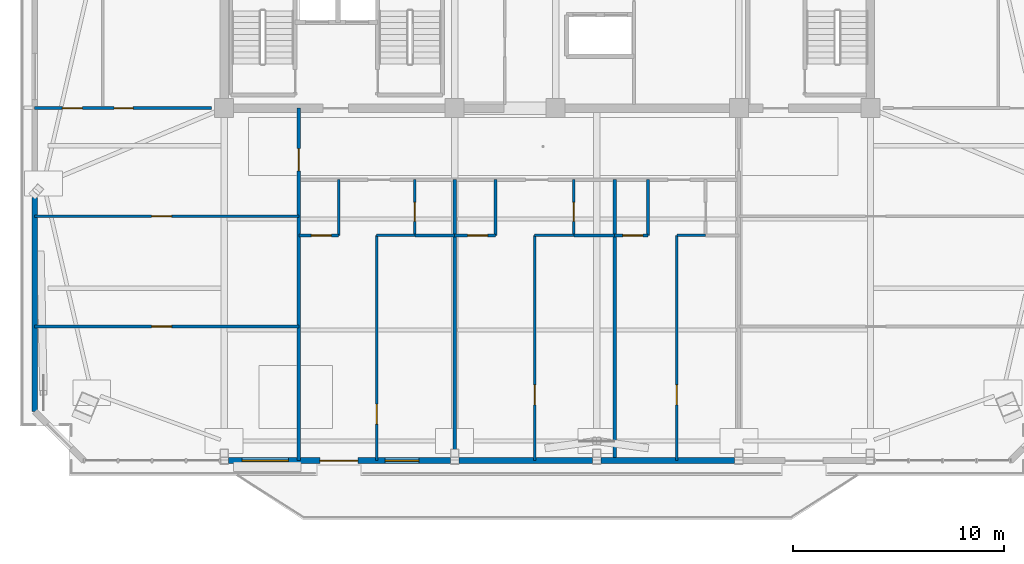
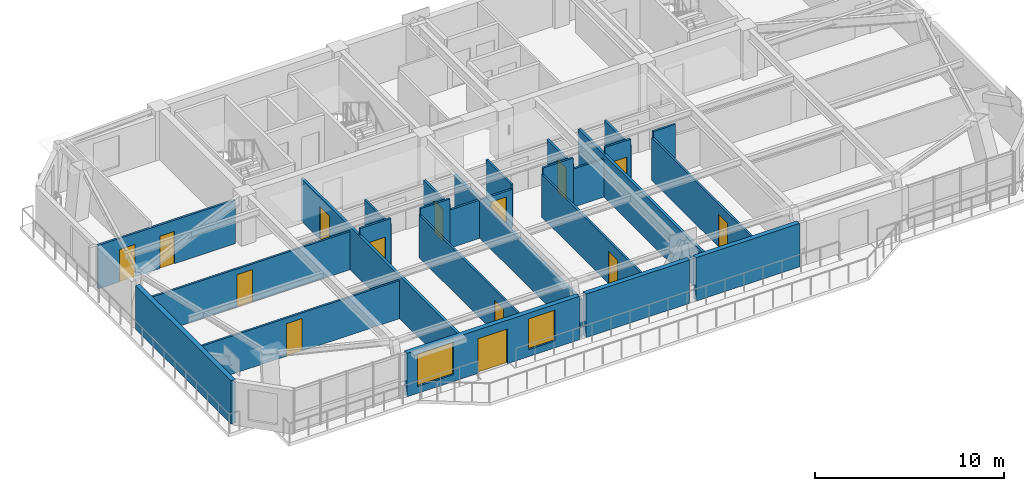
# One storey, part 6 of 14: 26 walls, 14 doors, 2 windows, 16 openings.
"""IFC4 building model written with IfcOpenShell, lengths in metres."""

from ifc_helpers import new_model, si_unit, direction, frame, frame_2d, origin, place, context, subcontext, project, spatial, rectangle, extrude, source, transform, mapped, material, layer, layer_set, type_object, element, fill, save


model = new_model("IFC4")

# Units and contexts
model_context = context("Model", 3, precision=1e-05, world=origin(), true_north=direction((0.0, 1.0)))
body_context = subcontext(model_context, "Body", "Model", "MODEL_VIEW")
ifc_project = project(units=[si_unit("LENGTHUNIT", "METRE"), si_unit("AREAUNIT", "SQUARE_METRE"), si_unit("VOLUMEUNIT", "CUBIC_METRE"), si_unit("PLANEANGLEUNIT", "RADIAN"), si_unit("MASSUNIT", "GRAM", prefix="KILO")], contexts=[model_context])

# Site, building, storey
site_placement = place(None, origin())
site = spatial("IfcSite", under=ifc_project, at=site_placement, CompositionType="ELEMENT")
building_placement = place(site_placement, origin())
building = spatial("IfcBuilding", under=site, at=building_placement, Name="Giltprow Tower", CompositionType="ELEMENT")
storey_placement = place(building_placement, frame((0.0, 0.0, 321.0)))
storey = spatial("IfcBuildingStorey", under=building, at=storey_placement, Name="L83", CompositionType="ELEMENT", Elevation=321.0)

# Wall, openings, windows, door
ifc_material_1 = material(Name="Precast concrete C40", Category="concrete")
ifc_layer_1 = layer(ifc_material_1, 0.280029296875, Name="Precast concrete C40")
ifc_layer_set_1 = layer_set([ifc_layer_1], Name="Precast concrete C40")
wall_type_1 = type_object("IfcWallType", Name="EW-TOW-BRONZE-280", PredefinedType="SOLIDWALL", material=ifc_layer_set_1)
wall_1_placement = place(storey_placement, frame((20.050048828125, 20.7041015625, 0.0), z_axis=(0.0, 0.0, 1.0), x_axis=(1.0, 0.0, 0.0)))
wall_1 = element("IfcWall", 1, at=wall_1_placement, inside=storey, type_object=wall_type_1, Name="L83 South Expressed Frame Wall 2", PredefinedType="SOLIDWALL", context=body_context, shape_type="SweptSolid", body=[
    extrude(rectangle(XDim=10.550048828125, YDim=0.280029296875, at=frame_2d((5.27490234375, 0.0))), origin(), (0.0, 0.0, 1.0), 2.81494140625),
])
opening_1_placement = place(wall_1_placement, frame((4.35009765625, 0.0, 0.0)))
opening_1 = element("IfcOpeningElement", 2, at=opening_1_placement, cuts=wall_1, Name="Opening ED25", PredefinedType="OPENING", context=body_context, shape_type="SweptSolid", body=[
    extrude(rectangle(XDim=1.800048828125, YDim=2.25, at=frame_2d((0.89990234375, 1.125))), frame((0.0, 0.14990234375, 0.0), z_axis=(0.0, -1.0, 0.0), x_axis=(1.0, 0.0, 0.0)), (0.0, 0.0, 1.0), 0.300048828125),
])
opening_2_placement = place(wall_1_placement, frame((0.64990234375, 0.0, 0.449951171875)))
opening_2 = element("IfcOpeningElement", 3, at=opening_2_placement, cuts=wall_1, Name="Opening WN27", PredefinedType="OPENING", context=body_context, shape_type="SweptSolid", body=[
    extrude(rectangle(XDim=2.199951171875, YDim=2.10009765625, at=frame_2d((1.10009765625, 1.050048828125))), frame((0.0, 0.14990234375, 0.0), z_axis=(0.0, -1.0, 0.0), x_axis=(1.0, 0.0, 0.0)), (0.0, 0.0, 1.0), 0.300048828125),
])
opening_3_placement = place(wall_1_placement, frame((7.449951171875, 0.0, 0.449951171875)))
opening_3 = element("IfcOpeningElement", 4, at=opening_3_placement, cuts=wall_1, Name="Opening WN17", PredefinedType="OPENING", context=body_context, shape_type="SweptSolid", body=[
    extrude(rectangle(XDim=1.60009765625, YDim=2.0, at=frame_2d((0.800048828125, 1.0))), frame((0.0, 0.14990234375, 0.0), z_axis=(0.0, -1.0, 0.0), x_axis=(1.0, 0.0, 0.0)), (0.0, 0.0, 1.0), 0.300048828125),
])
ifc_material_2 = material(Name="Insulated glass", Category="glass")
window_type_1 = type_object("IfcWindowType", Name="WN-COR-1600x2000", PartitioningType="SINGLE_PANEL", PredefinedType="WINDOW", material=ifc_material_2)
shared_shape_1 = source(origin(), body_context, "Body", "SweptSolid", [
    extrude(rectangle(XDim=1.60009765625, YDim=2.0, at=frame_2d((0.800048828125, 1.0))), frame((0.0, 0.030029296875, 0.0), z_axis=(0.0, -1.0, 0.0), x_axis=(1.0, 0.0, 0.0)), (0.0, 0.0, 1.0), 0.06005859375),
])
window_1_placement = place(opening_3_placement, origin())
window_1 = element("IfcWindow", 5, at=window_1_placement, inside=storey, type_object=window_type_1, Name="L83 South Window 2B", OverallHeight=2.0, OverallWidth=1.60009765625, PartitioningType="SINGLE_PANEL", PredefinedType="WINDOW", context=body_context, shape_type="MappedRepresentation", body=[
    mapped(shared_shape_1, transform((0.0, 0.0, 0.0), x_axis=(1.0, 0.0, 0.0), y_axis=(0.0, 1.0, 0.0), z_axis=(0.0, 0.0, 1.0), scale=1.0)),
])
fill(opening_3, window_1)
ifc_material_3 = material(Name="Anodized bronze and glass", Category="glass")
door_type_1 = type_object("IfcDoorType", Name="DR-BALC-SLIDE-1800", OperationType="SLIDING_TO_LEFT", PredefinedType="DOOR", material=ifc_material_3)
shared_shape_2 = source(origin(), body_context, "Body", "SweptSolid", [
    extrude(rectangle(XDim=1.800048828125, YDim=2.25, at=frame_2d((0.89990234375, 1.125))), frame((0.0, 0.02490234375, 0.0), z_axis=(0.0, -1.0, 0.0), x_axis=(1.0, 0.0, 0.0)), (0.0, 0.0, 1.0), 0.050048828125),
])
door_1_placement = place(opening_1_placement, origin())
door_1 = element("IfcDoor", 6, at=door_1_placement, inside=storey, type_object=door_type_1, Name="L83 Waterfront Balcony Sliding Door 1", OperationType="SLIDING_TO_LEFT", OverallHeight=2.25, OverallWidth=1.800048828125, PredefinedType="DOOR", context=body_context, shape_type="MappedRepresentation", body=[
    mapped(shared_shape_2, transform((0.0, 0.0, 0.0), x_axis=(1.0, 0.0, 0.0), y_axis=(0.0, 1.0, 0.0), z_axis=(0.0, 0.0, 1.0), scale=1.0)),
])
fill(opening_1, door_1)
window_type_2 = type_object("IfcWindowType", Name="WN-RES-2200x2100", PartitioningType="TRIPLE_PANEL_VERTICAL", PredefinedType="WINDOW", material=ifc_material_2)
shared_shape_3 = source(origin(), body_context, "Body", "SweptSolid", [
    extrude(rectangle(XDim=2.199951171875, YDim=2.10009765625, at=frame_2d((1.10009765625, 1.050048828125))), frame((0.0, 0.030029296875, 0.0), z_axis=(0.0, -1.0, 0.0), x_axis=(1.0, 0.0, 0.0)), (0.0, 0.0, 1.0), 0.06005859375),
])
window_2_placement = place(opening_2_placement, origin())
window_2 = element("IfcWindow", 7, at=window_2_placement, inside=storey, type_object=window_type_2, Name="L83 South Window 2A", OverallHeight=2.10009765625, OverallWidth=2.199951171875, PartitioningType="SINGLE_PANEL", PredefinedType="WINDOW", context=body_context, shape_type="MappedRepresentation", body=[
    mapped(shared_shape_3, transform((0.0, 0.0, 0.0), x_axis=(1.0, 0.0, 0.0), y_axis=(0.0, 1.0, 0.0), z_axis=(0.0, 0.0, 1.0), scale=1.0)),
])
fill(opening_2, window_2)

# Walls
for number, where, z_axis, x_axis, name in (
    (8, (31.0, 20.7041015625, 0.0), (0.0, 0.0, 1.0), (1.0, 0.0, 0.0), "L83 South Expressed Frame Wall 3"),
    (9, (37.75, 20.7041015625, 0.0), (0.0, 0.0, 1.0), (1.0, 0.0, 0.0), "L83 South Expressed Frame Wall 4"),
):
    element("IfcWall", number, at=place(storey_placement, frame(where, z_axis=z_axis, x_axis=x_axis)), inside=storey, type_object=wall_type_1, Name=name, PredefinedType="SOLIDWALL", context=body_context, shape_type="SweptSolid", body=[
        extrude(rectangle(XDim=6.35009765625, YDim=0.280029296875, at=frame_2d((3.175048828125, 0.0))), origin(), (0.0, 0.0, 1.0), 2.81494140625),
    ])
wall_2_placement = place(storey_placement, frame((10.85498046875, 23.0419921875, 0.0), z_axis=(0.0, 0.0, 1.0), x_axis=(0.0, 1.0, 0.0)))
element("IfcWall", 10, at=wall_2_placement, inside=storey, type_object=wall_type_1, Name="L83 W Wing Masonry Wall 1", PredefinedType="SOLIDWALL", context=body_context, shape_type="SweptSolid", body=[
    extrude(rectangle(XDim=10.159912109375, YDim=0.280029296875, at=frame_2d((5.080078125, 0.0))), origin(), (0.0, 0.0, 1.0), 2.81494140625),
])

# Wall, opening, door
ifc_material_4 = material(Name="Gypsum stud partition", Category="gypsum")
ifc_layer_2 = layer(ifc_material_4, 0.159912109375, Name="Gypsum stud partition")
ifc_layer_set_2 = layer_set([ifc_layer_2], Name="Gypsum stud partition")
wall_type_2 = type_object("IfcWallType", Name="IW-DEMISE-160", PredefinedType="PARTITIONING", material=ifc_layer_set_2)
wall_3_placement = place(storey_placement, frame((23.39990234375, 20.7041015625, 0.0), z_axis=(0.0, 0.0, 1.0), x_axis=(0.0, 1.0, 0.0)))
wall_3 = element("IfcWall", 11, at=wall_3_placement, inside=storey, type_object=wall_type_2, Name="L83 Apartment Party Wall 1", PredefinedType="PARTITIONING", context=body_context, shape_type="SweptSolid", body=[
    extrude(rectangle(XDim=16.745849609375, YDim=0.159912109375, at=frame_2d((8.373046875, 0.0))), origin(), (0.0, 0.0, 1.0), 2.77001953125),
])
opening_4_placement = place(wall_3_placement, frame((13.76611328125, 0.0, 0.0)))
opening_4 = element("IfcOpeningElement", 12, at=opening_4_placement, cuts=wall_3, Name="Opening ID31", PredefinedType="OPENING", context=body_context, shape_type="SweptSolid", body=[
    extrude(rectangle(XDim=1.050048828125, YDim=2.14990234375, at=frame_2d((0.52490234375, 1.074951171875))), frame((0.0, 0.08984375, 0.0), z_axis=(0.0, -1.0, 0.0), x_axis=(1.0, 0.0, 0.0)), (0.0, 0.0, 1.0), 0.179931640625),
])
ifc_material_5 = material(Name="Engineered timber", Category="wood")
door_type_2 = type_object("IfcDoorType", Name="DR-SUITE-1050", OperationType="SINGLE_SWING_LEFT", PredefinedType="DOOR", material=ifc_material_5)
shared_shape_4 = source(origin(), body_context, "Body", "SweptSolid", [
    extrude(rectangle(XDim=1.050048828125, YDim=2.14990234375, at=frame_2d((0.52490234375, 1.074951171875))), frame((0.0, 0.02490234375, 0.0), z_axis=(0.0, -1.0, 0.0), x_axis=(1.0, 0.0, 0.0)), (0.0, 0.0, 1.0), 0.050048828125),
])
door_2_placement = place(opening_4_placement, origin())
door_2 = element("IfcDoor", 13, at=door_2_placement, inside=storey, type_object=door_type_2, Name="L83 Committee Meeting Room Corridor End Door", OperationType="SINGLE_SWING_RIGHT", OverallHeight=2.14990234375, OverallWidth=1.050048828125, PredefinedType="DOOR", context=body_context, shape_type="MappedRepresentation", body=[
    mapped(shared_shape_4, transform((0.0, 0.0, 0.0), x_axis=(1.0, 0.0, 0.0), y_axis=(0.0, 1.0, 0.0), z_axis=(0.0, 0.0, 1.0), scale=1.0)),
])
fill(opening_4, door_2)

# Walls
wall_4_placement = place(storey_placement, frame((30.800048828125, 20.7041015625, 0.0), z_axis=(0.0, 0.0, 1.0), x_axis=(0.0, 1.0, 0.0)))
element("IfcWall", 14, at=wall_4_placement, inside=storey, type_object=wall_type_2, Name="L83 Apartment Party Wall 2", PredefinedType="PARTITIONING", context=body_context, shape_type="SweptSolid", body=[
    extrude(rectangle(XDim=13.345947265625, YDim=0.159912109375, at=frame_2d((6.6728515625, 0.0))), origin(), (0.0, 0.0, 1.0), 2.469970703125),
])
wall_5_placement = place(storey_placement, frame((38.39990234375, 20.7041015625, 0.0), z_axis=(0.0, 0.0, 1.0), x_axis=(0.0, 1.0, 0.0)))
element("IfcWall", 15, at=wall_5_placement, inside=storey, type_object=wall_type_2, Name="L83 Apartment Party Wall 3", PredefinedType="PARTITIONING", context=body_context, shape_type="SweptSolid", body=[
    extrude(rectangle(XDim=13.345947265625, YDim=0.159912109375, at=frame_2d((6.6728515625, 0.0))), origin(), (0.0, 0.0, 1.0), 2.77001953125),
])

# Wall, opening, door
ifc_layer_3 = layer(ifc_material_4, 0.1201171875, Name="Gypsum stud partition")
ifc_layer_set_3 = layer_set([ifc_layer_3], Name="Gypsum stud partition")
wall_type_3 = type_object("IfcWallType", Name="IW-ROOM-120", PredefinedType="PARTITIONING", material=ifc_layer_set_3)
wall_6_placement = place(storey_placement, frame((10.85498046875, 27.076904296875, 0.0), z_axis=(0.0, 0.0, 1.0), x_axis=(1.0, 0.0, 0.0)))
wall_6 = element("IfcWall", 16, at=wall_6_placement, inside=storey, type_object=wall_type_3, Name="L83 Special Split 1", PredefinedType="PARTITIONING", context=body_context, shape_type="SweptSolid", body=[
    extrude(rectangle(XDim=12.544921875, YDim=0.1201171875, at=frame_2d((6.2724609375, 0.0))), origin(), (0.0, 0.0, 1.0), 2.469970703125),
])
opening_5_placement = place(wall_6_placement, frame((5.552978515625, 0.0, 0.0)))
opening_5 = element("IfcOpeningElement", 17, at=opening_5_placement, cuts=wall_6, Name="Opening ID11", PredefinedType="OPENING", context=body_context, shape_type="SweptSolid", body=[
    extrude(rectangle(XDim=0.949951171875, YDim=2.10009765625, at=frame_2d((0.47509765625, 1.050048828125))), frame((0.0, 0.070068359375, 0.0), z_axis=(0.0, -1.0, 0.0), x_axis=(1.0, 0.0, 0.0)), (0.0, 0.0, 1.0), 0.14013671875),
])
door_type_3 = type_object("IfcDoorType", Name="DR-ROOM-950", OperationType="SINGLE_SWING_RIGHT", PredefinedType="DOOR", material=ifc_material_5)
shared_shape_5 = source(origin(), body_context, "Body", "SweptSolid", [
    extrude(rectangle(XDim=0.949951171875, YDim=2.10009765625, at=frame_2d((0.47509765625, 1.050048828125))), frame((0.0, 0.02490234375, 0.0), z_axis=(0.0, -1.0, 0.0), x_axis=(1.0, 0.0, 0.0)), (0.0, 0.0, 1.0), 0.050048828125),
])
door_3_placement = place(opening_5_placement, origin())
door_3 = element("IfcDoor", 18, at=door_3_placement, inside=storey, type_object=door_type_3, Name="L83 Committee Meeting Room South Door", OperationType="SINGLE_SWING_RIGHT", OverallHeight=2.10009765625, OverallWidth=0.949951171875, PredefinedType="DOOR", context=body_context, shape_type="MappedRepresentation", body=[
    mapped(shared_shape_5, transform((0.0, 0.0, 0.0), x_axis=(1.0, 0.0, 0.0), y_axis=(0.0, 1.0, 0.0), z_axis=(0.0, 0.0, 1.0), scale=1.0)),
])
fill(opening_5, door_3)

wall_7_placement = place(storey_placement, frame((10.85498046875, 32.318115234375, 0.0), z_axis=(0.0, 0.0, 1.0), x_axis=(1.0, 0.0, 0.0)))
wall_7 = element("IfcWall", 19, at=wall_7_placement, inside=storey, type_object=wall_type_3, Name="L83 Special Split 2", PredefinedType="PARTITIONING", context=body_context, shape_type="SweptSolid", body=[
    extrude(rectangle(XDim=12.544921875, YDim=0.1201171875, at=frame_2d((6.2724609375, 0.0))), origin(), (0.0, 0.0, 1.0), 2.469970703125),
])
opening_6_placement = place(wall_7_placement, frame((5.552978515625, 0.0, 0.0)))
opening_6 = element("IfcOpeningElement", 20, at=opening_6_placement, cuts=wall_7, Name="Opening ID11", PredefinedType="OPENING", context=body_context, shape_type="SweptSolid", body=[
    extrude(rectangle(XDim=0.949951171875, YDim=2.10009765625, at=frame_2d((0.47509765625, 1.050048828125))), frame((0.0, 0.070068359375, 0.0), z_axis=(0.0, -1.0, 0.0), x_axis=(1.0, 0.0, 0.0)), (0.0, 0.0, 1.0), 0.14013671875),
])
door_4_placement = place(opening_6_placement, origin())
door_4 = element("IfcDoor", 21, at=door_4_placement, inside=storey, type_object=door_type_3, Name="L83 Committee Meeting Room Mid Door", OperationType="SINGLE_SWING_LEFT", OverallHeight=2.10009765625, OverallWidth=0.949951171875, PredefinedType="DOOR", context=body_context, shape_type="MappedRepresentation", body=[
    mapped(shared_shape_5, transform((0.0, 0.0, 0.0), x_axis=(1.0, 0.0, 0.0), y_axis=(0.0, 1.0, 0.0), z_axis=(0.0, 0.0, 1.0), scale=1.0)),
])
fill(opening_6, door_4)

# Wall
wall_8_placement = place(storey_placement, frame((27.10009765625, 31.39990234375, 0.0), z_axis=(0.0, 0.0, 1.0), x_axis=(1.0, 0.0, 0.0)))
element("IfcWall", 22, at=wall_8_placement, inside=storey, type_object=wall_type_3, Name="L83 Unit 1 Bedroom North Wall", PredefinedType="PARTITIONING", context=body_context, shape_type="SweptSolid", body=[
    extrude(rectangle(XDim=1.809814453125, YDim=0.1201171875, at=frame_2d((0.90478515625, 0.0))), origin(), (0.0, 0.0, 1.0), 3.18505859375),
])

# Wall, opening, door
wall_9_placement = place(storey_placement, frame((27.10009765625, 20.7041015625, 0.0), z_axis=(0.0, 0.0, 1.0), x_axis=(0.0, 1.0, 0.0)))
wall_9 = element("IfcWall", 23, at=wall_9_placement, inside=storey, type_object=wall_type_3, Name="L83 Unit 1 Bedroom Wall", PredefinedType="PARTITIONING", context=body_context, shape_type="SweptSolid", body=[
    extrude(rectangle(XDim=10.69580078125, YDim=0.1201171875, at=frame_2d((5.347900390625, 0.0))), origin(), (0.0, 0.0, 1.0), 2.77001953125),
])
opening_7_placement = place(wall_9_placement, frame((1.73193359375, 0.0, 0.0)))
opening_7 = element("IfcOpeningElement", 24, at=opening_7_placement, cuts=wall_9, Name="Opening ID11", PredefinedType="OPENING", context=body_context, shape_type="SweptSolid", body=[
    extrude(rectangle(XDim=0.949951171875, YDim=2.10009765625, at=frame_2d((0.47509765625, 1.050048828125))), frame((0.0, 0.070068359375, 0.0), z_axis=(0.0, -1.0, 0.0), x_axis=(1.0, 0.0, 0.0)), (0.0, 0.0, 1.0), 0.14013671875),
])
door_5_placement = place(opening_7_placement, origin())
door_5 = element("IfcDoor", 25, at=door_5_placement, inside=storey, type_object=door_type_3, Name="L83 Unit 1 Primary Bedroom Door", OperationType="SINGLE_SWING_RIGHT", OverallHeight=2.10009765625, OverallWidth=0.949951171875, PredefinedType="DOOR", context=body_context, shape_type="MappedRepresentation", body=[
    mapped(shared_shape_5, transform((0.0, 0.0, 0.0), x_axis=(1.0, 0.0, 0.0), y_axis=(0.0, 1.0, 0.0), z_axis=(0.0, 0.0, 1.0), scale=1.0)),
])
fill(opening_7, door_5)

# Wall
wall_10_placement = place(storey_placement, frame((34.60009765625, 31.39990234375, 0.0), z_axis=(0.0, 0.0, 1.0), x_axis=(1.0, 0.0, 0.0)))
element("IfcWall", 26, at=wall_10_placement, inside=storey, type_object=wall_type_3, Name="L83 Unit 2 Bedroom North Wall", PredefinedType="PARTITIONING", context=body_context, shape_type="SweptSolid", body=[
    extrude(rectangle(XDim=1.85986328125, YDim=0.1201171875, at=frame_2d((0.929931640625, 0.0))), origin(), (0.0, 0.0, 1.0), 3.18505859375),
])

# Wall, opening, door
wall_11_placement = place(storey_placement, frame((34.60009765625, 20.7041015625, 0.0), z_axis=(0.0, 0.0, 1.0), x_axis=(0.0, 1.0, 0.0)))
wall_11 = element("IfcWall", 27, at=wall_11_placement, inside=storey, type_object=wall_type_3, Name="L83 Unit 2 Bedroom Wall", PredefinedType="PARTITIONING", context=body_context, shape_type="SweptSolid", body=[
    extrude(rectangle(XDim=10.69580078125, YDim=0.1201171875, at=frame_2d((5.347900390625, 0.0))), origin(), (0.0, 0.0, 1.0), 2.77001953125),
])
opening_8_placement = place(wall_11_placement, frame((2.652099609375, 0.0, 0.0)))
opening_8 = element("IfcOpeningElement", 28, at=opening_8_placement, cuts=wall_11, Name="Opening ID11", PredefinedType="OPENING", context=body_context, shape_type="SweptSolid", body=[
    extrude(rectangle(XDim=0.949951171875, YDim=2.10009765625, at=frame_2d((0.47509765625, 1.050048828125))), frame((0.0, 0.070068359375, 0.0), z_axis=(0.0, -1.0, 0.0), x_axis=(1.0, 0.0, 0.0)), (0.0, 0.0, 1.0), 0.14013671875),
])
door_6_placement = place(opening_8_placement, origin())
door_6 = element("IfcDoor", 29, at=door_6_placement, inside=storey, type_object=door_type_3, Name="L83 Unit 2 Primary Bedroom Door", OperationType="SINGLE_SWING_RIGHT", OverallHeight=2.10009765625, OverallWidth=0.949951171875, PredefinedType="DOOR", context=body_context, shape_type="MappedRepresentation", body=[
    mapped(shared_shape_5, transform((0.0, 0.0, 0.0), x_axis=(1.0, 0.0, 0.0), y_axis=(0.0, 1.0, 0.0), z_axis=(0.0, 0.0, 1.0), scale=1.0)),
])
fill(opening_8, door_6)

# Wall
wall_12_placement = place(storey_placement, frame((41.35009765625, 31.39990234375, 0.0), z_axis=(0.0, 0.0, 1.0), x_axis=(1.0, 0.0, 0.0)))
element("IfcWall", 30, at=wall_12_placement, inside=storey, type_object=wall_type_3, Name="L83 Unit 3 Bedroom North Wall", PredefinedType="PARTITIONING", context=body_context, shape_type="SweptSolid", body=[
    extrude(rectangle(XDim=1.369873046875, YDim=0.1201171875, at=frame_2d((0.68505859375, 0.0))), origin(), (0.0, 0.0, 1.0), 3.18505859375),
])

# Wall, opening, door
wall_13_placement = place(storey_placement, frame((41.35009765625, 20.7041015625, 0.0), z_axis=(0.0, 0.0, 1.0), x_axis=(0.0, 1.0, 0.0)))
wall_13 = element("IfcWall", 31, at=wall_13_placement, inside=storey, type_object=wall_type_3, Name="L83 Unit 3 Bedroom Wall", PredefinedType="PARTITIONING", context=body_context, shape_type="SweptSolid", body=[
    extrude(rectangle(XDim=10.69580078125, YDim=0.1201171875, at=frame_2d((5.347900390625, 0.0))), origin(), (0.0, 0.0, 1.0), 2.77001953125),
])
opening_9_placement = place(wall_13_placement, frame((2.652099609375, 0.0, 0.0)))
opening_9 = element("IfcOpeningElement", 32, at=opening_9_placement, cuts=wall_13, Name="Opening ID11", PredefinedType="OPENING", context=body_context, shape_type="SweptSolid", body=[
    extrude(rectangle(XDim=0.949951171875, YDim=2.10009765625, at=frame_2d((0.47509765625, 1.050048828125))), frame((0.0, 0.070068359375, 0.0), z_axis=(0.0, -1.0, 0.0), x_axis=(1.0, 0.0, 0.0)), (0.0, 0.0, 1.0), 0.14013671875),
])
door_7_placement = place(opening_9_placement, origin())
door_7 = element("IfcDoor", 33, at=door_7_placement, inside=storey, type_object=door_type_3, Name="L83 Unit 3 Primary Bedroom Door", OperationType="SINGLE_SWING_RIGHT", OverallHeight=2.10009765625, OverallWidth=0.949951171875, PredefinedType="DOOR", context=body_context, shape_type="MappedRepresentation", body=[
    mapped(shared_shape_5, transform((0.0, 0.0, 0.0), x_axis=(1.0, 0.0, 0.0), y_axis=(0.0, 1.0, 0.0), z_axis=(0.0, 0.0, 1.0), scale=1.0)),
])
fill(opening_9, door_7)

ifc_material_6 = material(Name="Concrete C30", Category="concrete")
ifc_layer_4 = layer(ifc_material_6, 0.1298828125, Name="Concrete C30")
ifc_layer_set_4 = layer_set([ifc_layer_4], Name="Concrete C30")
wall_type_4 = type_object("IfcWallType", Name="IW-WET-130", PredefinedType="PARTITIONING", material=ifc_layer_set_4)
wall_14_placement = place(storey_placement, frame((23.39990234375, 31.39990234375, 0.0), z_axis=(0.0, 0.0, 1.0), x_axis=(1.0, 0.0, 0.0)))
wall_14 = element("IfcWall", 34, at=wall_14_placement, inside=storey, type_object=wall_type_4, Name="L83 Unit 1 Kitchen South Wall", PredefinedType="PARTITIONING", context=body_context, shape_type="SweptSolid", body=[
    extrude(rectangle(XDim=1.89013671875, YDim=0.1298828125, at=frame_2d((0.945068359375, 0.0))), origin(), (0.0, 0.0, 1.0), 3.18505859375),
])
opening_10_placement = place(wall_14_placement, frame((0.590087890625, 0.0, 0.0)))
opening_10 = element("IfcOpeningElement", 35, at=opening_10_placement, cuts=wall_14, Name="Opening ID11", PredefinedType="OPENING", context=body_context, shape_type="SweptSolid", body=[
    extrude(rectangle(XDim=0.949951171875, YDim=2.10009765625, at=frame_2d((0.47509765625, 1.050048828125))), frame((0.0, 0.074951171875, 0.0), z_axis=(0.0, -1.0, 0.0), x_axis=(1.0, 0.0, 0.0)), (0.0, 0.0, 1.0), 0.14990234375),
])
door_8_placement = place(opening_10_placement, origin())
door_8 = element("IfcDoor", 36, at=door_8_placement, inside=storey, type_object=door_type_3, Name="L83 Unit 1 Kitchen Door", OperationType="SINGLE_SWING_RIGHT", OverallHeight=2.10009765625, OverallWidth=0.949951171875, PredefinedType="DOOR", context=body_context, shape_type="MappedRepresentation", body=[
    mapped(shared_shape_5, transform((0.0, 0.0, 0.0), x_axis=(1.0, 0.0, 0.0), y_axis=(0.0, 1.0, 0.0), z_axis=(0.0, 0.0, 1.0), scale=1.0)),
])
fill(opening_10, door_8)

# Walls
wall_15_placement = place(storey_placement, frame((25.2900390625, 31.39990234375, 0.0), z_axis=(0.0, 0.0, 1.0), x_axis=(0.0, 1.0, 0.0)))
element("IfcWall", 37, at=wall_15_placement, inside=storey, type_object=wall_type_4, Name="L83 Unit 1 Kitchen East Wall", PredefinedType="PARTITIONING", context=body_context, shape_type="SweptSolid", body=[
    extrude(rectangle(XDim=2.650146484375, YDim=0.1298828125, at=frame_2d((1.3251953125, 0.0))), origin(), (0.0, 0.0, 1.0), 2.77001953125),
])
wall_16_placement = place(storey_placement, frame((28.909912109375, 31.39990234375, 0.0), z_axis=(0.0, 0.0, 1.0), x_axis=(1.0, 0.0, 0.0)))
element("IfcWall", 38, at=wall_16_placement, inside=storey, type_object=wall_type_4, Name="L83 Unit 1 Bathroom South Wall", PredefinedType="PARTITIONING", context=body_context, shape_type="SweptSolid", body=[
    extrude(rectangle(XDim=1.89013671875, YDim=0.1298828125, at=frame_2d((0.945068359375, 0.0))), origin(), (0.0, 0.0, 1.0), 2.469970703125),
])

# Wall, opening, door
wall_17_placement = place(storey_placement, frame((28.909912109375, 31.39990234375, 0.0), z_axis=(0.0, 0.0, 1.0), x_axis=(0.0, 1.0, 0.0)))
wall_17 = element("IfcWall", 39, at=wall_17_placement, inside=storey, type_object=wall_type_4, Name="L83 Unit 1 Bathroom West Wall", PredefinedType="PARTITIONING", context=body_context, shape_type="SweptSolid", body=[
    extrude(rectangle(XDim=2.650146484375, YDim=0.1298828125, at=frame_2d((1.3251953125, 0.0))), origin(), (0.0, 0.0, 1.0), 2.77001953125),
])
opening_11_placement = place(wall_17_placement, frame((0.669921875, 0.0, 0.0)))
opening_11 = element("IfcOpeningElement", 40, at=opening_11_placement, cuts=wall_17, Name="Opening ID15", PredefinedType="OPENING", context=body_context, shape_type="SweptSolid", body=[
    extrude(rectangle(XDim=0.89990234375, YDim=2.10009765625, at=frame_2d((0.449951171875, 1.050048828125))), frame((0.0, 0.074951171875, 0.0), z_axis=(0.0, -1.0, 0.0), x_axis=(1.0, 0.0, 0.0)), (0.0, 0.0, 1.0), 0.14990234375),
])
door_type_4 = type_object("IfcDoorType", Name="DR-WC-900", OperationType="SINGLE_SWING_LEFT", PredefinedType="DOOR", material=ifc_material_5)
shared_shape_6 = source(origin(), body_context, "Body", "SweptSolid", [
    extrude(rectangle(XDim=0.89990234375, YDim=2.10009765625, at=frame_2d((0.449951171875, 1.050048828125))), frame((0.0, 0.02490234375, 0.0), z_axis=(0.0, -1.0, 0.0), x_axis=(1.0, 0.0, 0.0)), (0.0, 0.0, 1.0), 0.050048828125),
])
door_9_placement = place(opening_11_placement, origin())
door_9 = element("IfcDoor", 41, at=door_9_placement, inside=storey, type_object=door_type_4, Name="L83 Unit 1 Bathroom Door", OperationType="SINGLE_SWING_LEFT", OverallHeight=2.10009765625, OverallWidth=0.89990234375, PredefinedType="DOOR", context=body_context, shape_type="MappedRepresentation", body=[
    mapped(shared_shape_6, transform((0.0, 0.0, 0.0), x_axis=(1.0, 0.0, 0.0), y_axis=(0.0, 1.0, 0.0), z_axis=(0.0, 0.0, 1.0), scale=1.0)),
])
fill(opening_11, door_9)

wall_18_placement = place(storey_placement, frame((30.800048828125, 31.39990234375, 0.0), z_axis=(0.0, 0.0, 1.0), x_axis=(1.0, 0.0, 0.0)))
wall_18 = element("IfcWall", 42, at=wall_18_placement, inside=storey, type_object=wall_type_4, Name="L83 Unit 2 Kitchen South Wall", PredefinedType="PARTITIONING", context=body_context, shape_type="SweptSolid", body=[
    extrude(rectangle(XDim=1.93994140625, YDim=0.1298828125, at=frame_2d((0.969970703125, 0.0))), origin(), (0.0, 0.0, 1.0), 2.469970703125),
])
opening_12_placement = place(wall_18_placement, frame((0.614990234375, 0.0, 0.0)))
opening_12 = element("IfcOpeningElement", 43, at=opening_12_placement, cuts=wall_18, Name="Opening ID11", PredefinedType="OPENING", context=body_context, shape_type="SweptSolid", body=[
    extrude(rectangle(XDim=0.949951171875, YDim=2.10009765625, at=frame_2d((0.47509765625, 1.050048828125))), frame((0.0, 0.074951171875, 0.0), z_axis=(0.0, -1.0, 0.0), x_axis=(1.0, 0.0, 0.0)), (0.0, 0.0, 1.0), 0.14990234375),
])
door_10_placement = place(opening_12_placement, origin())
door_10 = element("IfcDoor", 44, at=door_10_placement, inside=storey, type_object=door_type_3, Name="L83 Unit 2 Kitchen Door", OperationType="SINGLE_SWING_RIGHT", OverallHeight=2.10009765625, OverallWidth=0.949951171875, PredefinedType="DOOR", context=body_context, shape_type="MappedRepresentation", body=[
    mapped(shared_shape_5, transform((0.0, 0.0, 0.0), x_axis=(1.0, 0.0, 0.0), y_axis=(0.0, 1.0, 0.0), z_axis=(0.0, 0.0, 1.0), scale=1.0)),
])
fill(opening_12, door_10)

# Walls
wall_19_placement = place(storey_placement, frame((32.739990234375, 31.39990234375, 0.0), z_axis=(0.0, 0.0, 1.0), x_axis=(0.0, 1.0, 0.0)))
element("IfcWall", 45, at=wall_19_placement, inside=storey, type_object=wall_type_4, Name="L83 Unit 2 Kitchen East Wall", PredefinedType="PARTITIONING", context=body_context, shape_type="SweptSolid", body=[
    extrude(rectangle(XDim=2.650146484375, YDim=0.1298828125, at=frame_2d((1.3251953125, 0.0))), origin(), (0.0, 0.0, 1.0), 2.77001953125),
])
wall_20_placement = place(storey_placement, frame((36.4599609375, 31.39990234375, 0.0), z_axis=(0.0, 0.0, 1.0), x_axis=(1.0, 0.0, 0.0)))
element("IfcWall", 46, at=wall_20_placement, inside=storey, type_object=wall_type_4, Name="L83 Unit 2 Bathroom South Wall", PredefinedType="PARTITIONING", context=body_context, shape_type="SweptSolid", body=[
    extrude(rectangle(XDim=1.93994140625, YDim=0.1298828125, at=frame_2d((0.969970703125, 0.0))), origin(), (0.0, 0.0, 1.0), 2.469970703125),
])

# Wall, opening, door
wall_21_placement = place(storey_placement, frame((36.4599609375, 31.39990234375, 0.0), z_axis=(0.0, 0.0, 1.0), x_axis=(0.0, 1.0, 0.0)))
wall_21 = element("IfcWall", 47, at=wall_21_placement, inside=storey, type_object=wall_type_4, Name="L83 Unit 2 Bathroom West Wall", PredefinedType="PARTITIONING", context=body_context, shape_type="SweptSolid", body=[
    extrude(rectangle(XDim=2.650146484375, YDim=0.1298828125, at=frame_2d((1.3251953125, 0.0))), origin(), (0.0, 0.0, 1.0), 2.77001953125),
])
opening_13_placement = place(wall_21_placement, frame((0.669921875, 0.0, 0.0)))
opening_13 = element("IfcOpeningElement", 48, at=opening_13_placement, cuts=wall_21, Name="Opening ID15", PredefinedType="OPENING", context=body_context, shape_type="SweptSolid", body=[
    extrude(rectangle(XDim=0.89990234375, YDim=2.10009765625, at=frame_2d((0.449951171875, 1.050048828125))), frame((0.0, 0.074951171875, 0.0), z_axis=(0.0, -1.0, 0.0), x_axis=(1.0, 0.0, 0.0)), (0.0, 0.0, 1.0), 0.14990234375),
])
door_11_placement = place(opening_13_placement, origin())
door_11 = element("IfcDoor", 49, at=door_11_placement, inside=storey, type_object=door_type_4, Name="L83 Unit 2 Bathroom Door", OperationType="SINGLE_SWING_LEFT", OverallHeight=2.10009765625, OverallWidth=0.89990234375, PredefinedType="DOOR", context=body_context, shape_type="MappedRepresentation", body=[
    mapped(shared_shape_6, transform((0.0, 0.0, 0.0), x_axis=(1.0, 0.0, 0.0), y_axis=(0.0, 1.0, 0.0), z_axis=(0.0, 0.0, 1.0), scale=1.0)),
])
fill(opening_13, door_11)

wall_22_placement = place(storey_placement, frame((38.39990234375, 31.39990234375, 0.0), z_axis=(0.0, 0.0, 1.0), x_axis=(1.0, 0.0, 0.0)))
wall_22 = element("IfcWall", 50, at=wall_22_placement, inside=storey, type_object=wall_type_4, Name="L83 Unit 3 Kitchen South Wall", PredefinedType="PARTITIONING", context=body_context, shape_type="SweptSolid", body=[
    extrude(rectangle(XDim=1.580078125, YDim=0.1298828125, at=frame_2d((0.7900390625, 0.0))), origin(), (0.0, 0.0, 1.0), 3.18505859375),
])
opening_14_placement = place(wall_22_placement, frame((0.389892578125, 0.0, 0.0)))
opening_14 = element("IfcOpeningElement", 51, at=opening_14_placement, cuts=wall_22, Name="Opening ID11", PredefinedType="OPENING", context=body_context, shape_type="SweptSolid", body=[
    extrude(rectangle(XDim=0.949951171875, YDim=2.10009765625, at=frame_2d((0.47509765625, 1.050048828125))), frame((0.0, 0.074951171875, 0.0), z_axis=(0.0, -1.0, 0.0), x_axis=(1.0, 0.0, 0.0)), (0.0, 0.0, 1.0), 0.14990234375),
])
door_12_placement = place(opening_14_placement, origin())
door_12 = element("IfcDoor", 52, at=door_12_placement, inside=storey, type_object=door_type_3, Name="L83 Unit 3 Kitchen Door", OperationType="SINGLE_SWING_RIGHT", OverallHeight=2.10009765625, OverallWidth=0.949951171875, PredefinedType="DOOR", context=body_context, shape_type="MappedRepresentation", body=[
    mapped(shared_shape_5, transform((0.0, 0.0, 0.0), x_axis=(1.0, 0.0, 0.0), y_axis=(0.0, 1.0, 0.0), z_axis=(0.0, 0.0, 1.0), scale=1.0)),
])
fill(opening_14, door_12)

# Wall
wall_23_placement = place(storey_placement, frame((39.97998046875, 31.39990234375, 0.0), z_axis=(0.0, 0.0, 1.0), x_axis=(0.0, 1.0, 0.0)))
element("IfcWall", 53, at=wall_23_placement, inside=storey, type_object=wall_type_4, Name="L83 Unit 3 Kitchen East Wall", PredefinedType="PARTITIONING", context=body_context, shape_type="SweptSolid", body=[
    extrude(rectangle(XDim=2.650146484375, YDim=0.1298828125, at=frame_2d((1.3251953125, 0.0))), origin(), (0.0, 0.0, 1.0), 2.77001953125),
])

# Wall, openings, doors
wall_24_placement = place(storey_placement, frame((10.85498046875, 37.449951171875, 0.0), z_axis=(0.0, 0.0, 1.0), x_axis=(1.0, 0.0, 0.0)))
wall_24 = element("IfcWall", 54, at=wall_24_placement, inside=storey, type_object=wall_type_4, Name="L83 NW Wing South Wall", PredefinedType="PARTITIONING", context=body_context, shape_type="SweptSolid", body=[
    extrude(rectangle(XDim=8.39501953125, YDim=0.1298828125, at=frame_2d((4.197509765625, 0.0))), origin(), (0.0, 0.0, 1.0), 2.820068359375),
])
opening_15_placement = place(wall_24_placement, frame((1.31494140625, 0.0, 0.0)))
opening_15 = element("IfcOpeningElement", 55, at=opening_15_placement, cuts=wall_24, Name="Opening ID11", PredefinedType="OPENING", context=body_context, shape_type="SweptSolid", body=[
    extrude(rectangle(XDim=0.949951171875, YDim=2.10009765625, at=frame_2d((0.47509765625, 1.050048828125))), frame((0.0, 0.074951171875, 0.0), z_axis=(0.0, -1.0, 0.0), x_axis=(1.0, 0.0, 0.0)), (0.0, 0.0, 1.0), 0.14990234375),
])
opening_16_placement = place(wall_24_placement, frame((3.77587890625, 0.0, 0.0)))
opening_16 = element("IfcOpeningElement", 56, at=opening_16_placement, cuts=wall_24, Name="Opening ID15", PredefinedType="OPENING", context=body_context, shape_type="SweptSolid", body=[
    extrude(rectangle(XDim=0.89990234375, YDim=2.10009765625, at=frame_2d((0.449951171875, 1.050048828125))), frame((0.0, 0.074951171875, 0.0), z_axis=(0.0, -1.0, 0.0), x_axis=(1.0, 0.0, 0.0)), (0.0, 0.0, 1.0), 0.14990234375),
])
door_13_placement = place(opening_16_placement, origin())
door_13 = element("IfcDoor", 57, at=door_13_placement, inside=storey, type_object=door_type_4, Name="L83 NW Washroom Door", OperationType="SINGLE_SWING_LEFT", OverallHeight=2.10009765625, OverallWidth=0.89990234375, PredefinedType="DOOR", context=body_context, shape_type="MappedRepresentation", body=[
    mapped(shared_shape_6, transform((0.0, 0.0, 0.0), x_axis=(1.0, 0.0, 0.0), y_axis=(0.0, 1.0, 0.0), z_axis=(0.0, 0.0, 1.0), scale=1.0)),
])
fill(opening_16, door_13)
door_14_placement = place(opening_15_placement, origin())
door_14 = element("IfcDoor", 58, at=door_14_placement, inside=storey, type_object=door_type_3, Name="L83 Residents Study Office West Door", OperationType="SINGLE_SWING_RIGHT", OverallHeight=2.10009765625, OverallWidth=0.949951171875, PredefinedType="DOOR", context=body_context, shape_type="MappedRepresentation", body=[
    mapped(shared_shape_5, transform((0.0, 0.0, 0.0), x_axis=(1.0, 0.0, 0.0), y_axis=(0.0, 1.0, 0.0), z_axis=(0.0, 0.0, 1.0), scale=1.0)),
])
fill(opening_15, door_14)

save(model, "model.ifc")
